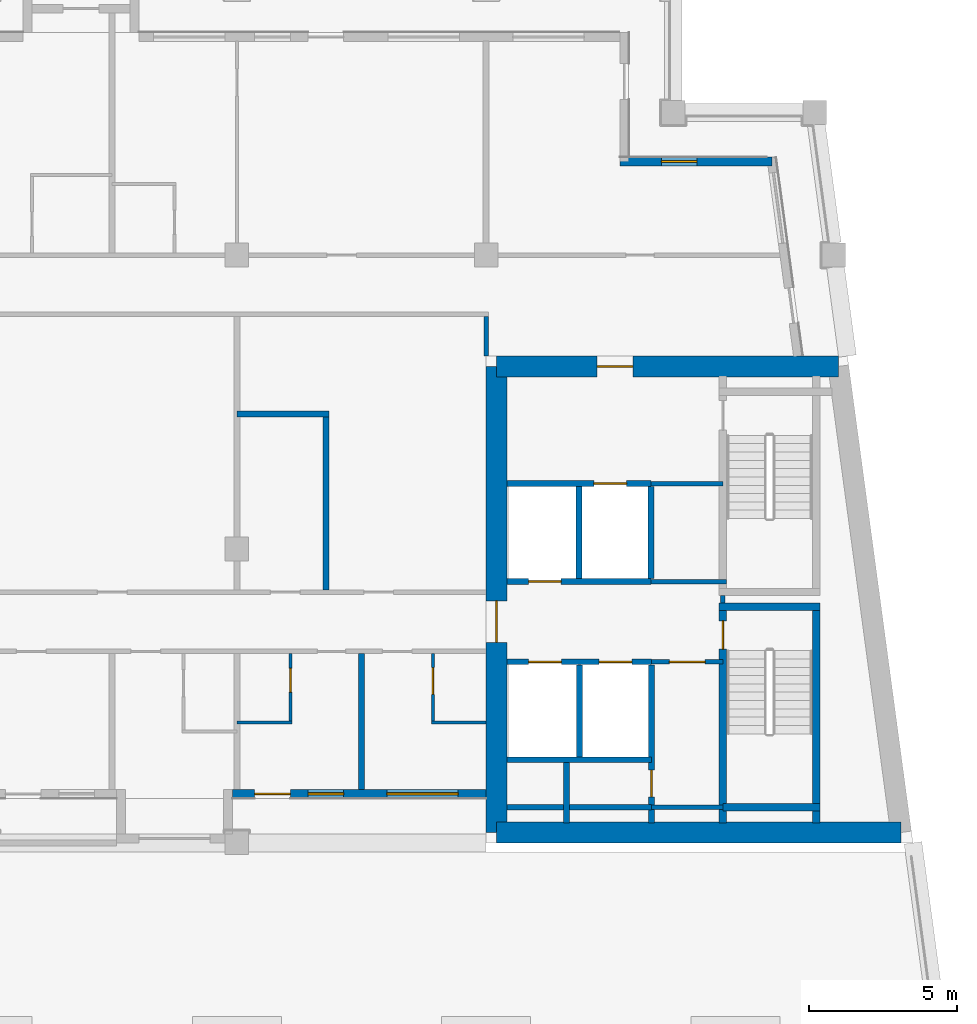
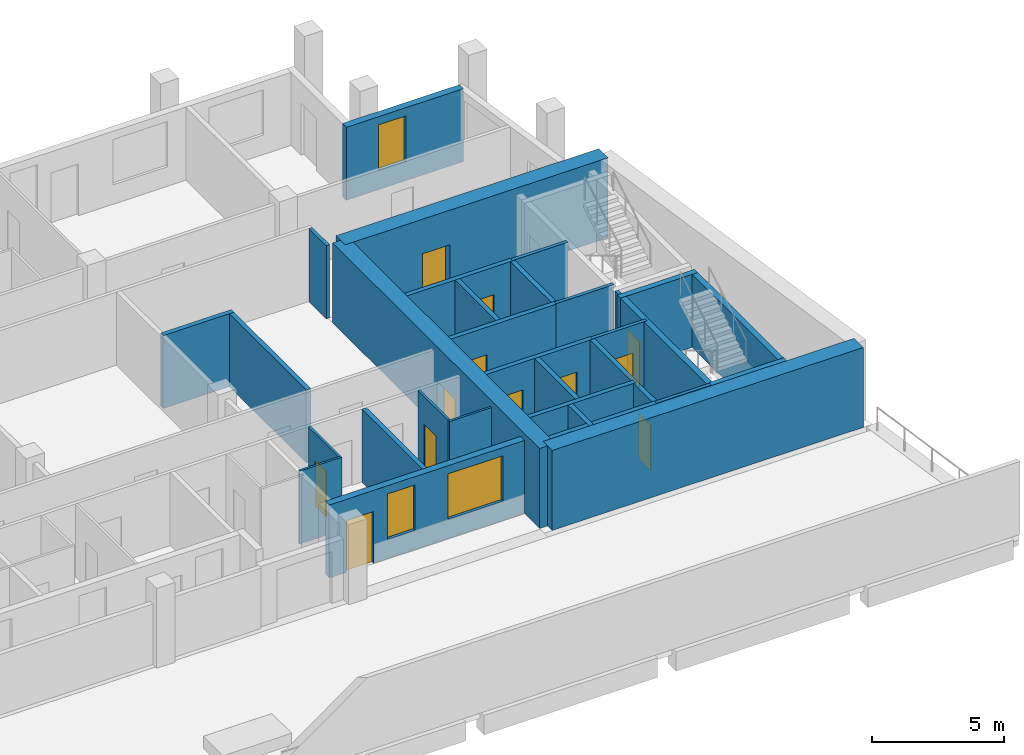
# One storey, part 4 of 12: 32 walls, 12 doors, 3 windows, 15 openings.
"""IFC4 building model written with IfcOpenShell, lengths in metres."""

from ifc_helpers import new_model, si_unit, direction, frame, frame_2d, origin, place, context, subcontext, project, spatial, rectangle, extrude, material, layer, layer_set, type_object, element, fill, save


model = new_model("IFC4")

# Units and contexts
model_context = context("Model", 3, precision=1e-05, world=origin(), true_north=direction((0.0, 1.0)))
body_context = subcontext(model_context, "Body", "Model", "MODEL_VIEW")
ifc_project = project(units=[si_unit("LENGTHUNIT", "METRE"), si_unit("AREAUNIT", "SQUARE_METRE"), si_unit("VOLUMEUNIT", "CUBIC_METRE"), si_unit("PLANEANGLEUNIT", "RADIAN"), si_unit("MASSUNIT", "GRAM", prefix="KILO")], contexts=[model_context])

# Site, building, storey
site_placement = place(None, origin())
site = spatial("IfcSite", under=ifc_project, at=site_placement, CompositionType="ELEMENT")
building_placement = place(site_placement, origin())
building = spatial("IfcBuilding", under=site, at=building_placement, Name="Candeia Pilgrim Tower and Theatre", CompositionType="ELEMENT")
storey_placement = place(building_placement, frame((0.0, 0.0, 281.199951171875)))
storey = spatial("IfcBuildingStorey", under=building, at=storey_placement, Name="L68", CompositionType="ELEMENT", Elevation=281.199951171875)

# Wall, opening, door
ifc_material_1 = material(Name="Concrete C40/50", Category="concrete")
ifc_layer_1 = layer(ifc_material_1, 0.699951171875)
ifc_layer_set_1 = layer_set([ifc_layer_1], Name="Core wall 700 C40/50")
wall_type_1 = type_object("IfcWallType", Name="Core wall 700 C40/50", PredefinedType="SHEAR", material=ifc_layer_set_1)
wall_1_placement = place(storey_placement, frame((126.35009765625, 132.050048828125, 0.0), z_axis=(0.0, 0.0, 1.0), x_axis=(1.0, 0.0, 0.0)))
wall_1 = element("IfcWall", 1, at=wall_1_placement, inside=storey, type_object=wall_type_1, Name="Core wall E1", PredefinedType="SHEAR", context=body_context, shape_type="SweptSolid", body=[
    extrude(rectangle(XDim=11.51318359375, YDim=0.699951171875, at=frame_2d((5.756591796875, 0.0))), origin(), (0.0, 0.0, 1.0), 3.699951171875),
])
opening_1_placement = place(wall_1_placement, frame((3.386474609375, 0.0, 0.0)))
opening_1 = element("IfcOpeningElement", 2, at=opening_1_placement, cuts=wall_1, Name="Opening L68-D036", PredefinedType="OPENING", context=body_context, shape_type="SweptSolid", body=[
    extrude(rectangle(XDim=1.199951171875, YDim=2.10009765625, at=frame_2d((0.60009765625, 1.050048828125))), frame((0.0, 0.35986328125, 0.0), z_axis=(0.0, -1.0, 0.0), x_axis=(1.0, 0.0, 0.0)), (0.0, 0.0, 1.0), 0.719970703125),
])
ifc_material_2 = material(Name="Steel fire door set", Category="steel")
door_type_1 = type_object("IfcDoorType", Name="D-1200-FD60", OperationType="NOTDEFINED", PredefinedType="DOOR", material=ifc_material_2)
door_1_placement = place(opening_1_placement, origin())
door_1 = element("IfcDoor", 3, at=door_1_placement, inside=storey, type_object=door_type_1, Name="Door L68-D036", OperationType="SINGLE_SWING_RIGHT", OverallHeight=2.10009765625, OverallWidth=1.199951171875, PredefinedType="DOOR", context=body_context, shape_type="SweptSolid", body=[
    extrude(rectangle(XDim=1.199951171875, YDim=2.10009765625, at=frame_2d((0.60009765625, 1.050048828125))), frame((0.0, 0.02490234375, 0.0), z_axis=(0.0, -1.0, 0.0), x_axis=(1.0, 0.0, 0.0)), (0.0, 0.0, 1.0), 0.050048828125),
])
fill(opening_1, door_1)

# Wall
wall_2_placement = place(storey_placement, frame((139.9765625, 116.35009765625, 0.0), z_axis=(0.0, 0.0, 1.0), x_axis=(-1.0, 0.0, 0.0)))
element("IfcWall", 4, at=wall_2_placement, inside=storey, type_object=wall_type_1, Name="Core wall E3", PredefinedType="SHEAR", context=body_context, shape_type="SweptSolid", body=[
    extrude(rectangle(XDim=13.62646484375, YDim=0.699951171875, at=frame_2d((6.813232421875, 0.0))), origin(), (0.0, 0.0, 1.0), 3.699951171875),
])

# Wall, opening, door
wall_3_placement = place(storey_placement, frame((126.35009765625, 116.35009765625, 0.0), z_axis=(0.0, 0.0, 1.0), x_axis=(0.0, 1.0, 0.0)))
wall_3 = element("IfcWall", 5, at=wall_3_placement, inside=storey, type_object=wall_type_1, Name="Core wall E4", PredefinedType="SHEAR", context=body_context, shape_type="SweptSolid", body=[
    extrude(rectangle(XDim=15.699951171875, YDim=0.699951171875, at=frame_2d((7.85009765625, 0.0))), origin(), (0.0, 0.0, 1.0), 3.699951171875),
])
opening_2_placement = place(wall_3_placement, frame((6.39990234375, 0.0, 0.0)))
opening_2 = element("IfcOpeningElement", 6, at=opening_2_placement, cuts=wall_3, Name="Opening L68-D037", PredefinedType="OPENING", context=body_context, shape_type="SweptSolid", body=[
    extrude(rectangle(XDim=1.39990234375, YDim=2.10009765625, at=frame_2d((0.699951171875, 1.050048828125))), frame((0.0, 0.35986328125, 0.0), z_axis=(0.0, -1.0, 0.0), x_axis=(1.0, 0.0, 0.0)), (0.0, 0.0, 1.0), 0.719970703125),
])
door_type_2 = type_object("IfcDoorType", Name="D-1400-FD60", OperationType="NOTDEFINED", PredefinedType="DOOR", material=ifc_material_2)
door_2_placement = place(opening_2_placement, origin())
door_2 = element("IfcDoor", 7, at=door_2_placement, inside=storey, type_object=door_type_2, Name="Door L68-D037", OperationType="SINGLE_SWING_LEFT", OverallHeight=2.10009765625, OverallWidth=1.39990234375, PredefinedType="DOOR", context=body_context, shape_type="SweptSolid", body=[
    extrude(rectangle(XDim=1.39990234375, YDim=2.10009765625, at=frame_2d((0.699951171875, 1.050048828125))), frame((0.0, 0.02490234375, 0.0), z_axis=(0.0, -1.0, 0.0), x_axis=(1.0, 0.0, 0.0)), (0.0, 0.0, 1.0), 0.050048828125),
])
fill(opening_2, door_2)

# Wall, openings, door, windows
ifc_material_3 = material(Name="Ceramic block masonry", Category="masonry")
ifc_layer_2 = layer(ifc_material_3, 0.300048828125)
ifc_layer_set_2 = layer_set([ifc_layer_2], Name="EW1 glazing-line wall 300")
wall_type_2 = type_object("IfcWallType", Name="EW1 glazing-line wall 300", PredefinedType="SOLIDWALL", material=ifc_layer_set_2)
wall_4_placement = place(storey_placement, frame((117.449951171875, 117.64990234375, 0.0), z_axis=(0.0, 0.0, 1.0), x_axis=(1.0, 0.0, 0.0)))
wall_4 = element("IfcWall", 8, at=wall_4_placement, inside=storey, type_object=wall_type_2, Name="External wall L68-1.1", PredefinedType="SOLIDWALL", context=body_context, shape_type="SweptSolid", body=[
    extrude(rectangle(XDim=8.550048828125, YDim=0.300048828125, at=frame_2d((4.27490234375, 0.0))), origin(), (0.0, 0.0, 1.0), 3.380126953125),
])
opening_3_placement = place(wall_4_placement, frame((0.75, 0.0, 0.0)))
opening_3 = element("IfcOpeningElement", 9, at=opening_3_placement, cuts=wall_4, Name="Opening L68-ED638", PredefinedType="OPENING", context=body_context, shape_type="SweptSolid", body=[
    extrude(rectangle(XDim=1.199951171875, YDim=2.39990234375, at=frame_2d((0.60009765625, 1.199951171875))), frame((0.0, 0.16015625, 0.0), z_axis=(0.0, -1.0, 0.0), x_axis=(1.0, 0.0, 0.0)), (0.0, 0.0, 1.0), 0.320068359375),
])
opening_4_placement = place(wall_4_placement, frame((2.550048828125, 0.0, 0.89990234375)))
opening_4 = element("IfcOpeningElement", 10, at=opening_4_placement, cuts=wall_4, Name="Opening W-B", PredefinedType="OPENING", context=body_context, shape_type="SweptSolid", body=[
    extrude(rectangle(XDim=1.199951171875, YDim=2.10009765625, at=frame_2d((0.60009765625, 1.050048828125))), frame((0.0, 0.16015625, 0.0), z_axis=(0.0, -1.0, 0.0), x_axis=(1.0, 0.0, 0.0)), (0.0, 0.0, 1.0), 0.320068359375),
])
opening_5_placement = place(wall_4_placement, frame((5.199951171875, 0.0, 0.89990234375)))
opening_5 = element("IfcOpeningElement", 11, at=opening_5_placement, cuts=wall_4, Name="Opening W-A", PredefinedType="OPENING", context=body_context, shape_type="SweptSolid", body=[
    extrude(rectangle(XDim=2.39990234375, YDim=2.10009765625, at=frame_2d((1.199951171875, 1.050048828125))), frame((0.0, 0.16015625, 0.0), z_axis=(0.0, -1.0, 0.0), x_axis=(1.0, 0.0, 0.0)), (0.0, 0.0, 1.0), 0.320068359375),
])
ifc_material_4 = material(Name="Aluminium framed glazed door", Category="aluminium")
door_type_3 = type_object("IfcDoorType", Name="Loggia door 1200x2400", OperationType="DOUBLE_DOOR_SINGLE_SWING", PredefinedType="DOOR", material=ifc_material_4)
door_3_placement = place(opening_3_placement, origin())
door_3 = element("IfcDoor", 12, at=door_3_placement, inside=storey, type_object=door_type_3, Name="Loggia door L68-ED638", OperationType="DOUBLE_DOOR_SINGLE_SWING", OverallHeight=2.39990234375, OverallWidth=1.199951171875, PredefinedType="DOOR", context=body_context, shape_type="SweptSolid", body=[
    extrude(rectangle(XDim=1.199951171875, YDim=2.39990234375, at=frame_2d((0.60009765625, 1.199951171875))), frame((0.0, 0.02490234375, 0.0), z_axis=(0.0, -1.0, 0.0), x_axis=(1.0, 0.0, 0.0)), (0.0, 0.0, 1.0), 0.050048828125),
])
fill(opening_3, door_3)
ifc_material_5 = material(Name="Aluminium framed double glazing", Category="aluminium")
window_type_1 = type_object("IfcWindowType", Name="W-A window 2400x2100", PartitioningType="DOUBLE_PANEL_VERTICAL", PredefinedType="WINDOW", material=ifc_material_5)
window_1_placement = place(opening_5_placement, origin())
window_1 = element("IfcWindow", 13, at=window_1_placement, inside=storey, type_object=window_type_1, Name="Window W-A L68", OverallHeight=2.10009765625, OverallWidth=2.39990234375, PartitioningType="SINGLE_PANEL", PredefinedType="WINDOW", context=body_context, shape_type="SweptSolid", body=[
    extrude(rectangle(XDim=2.39990234375, YDim=2.10009765625, at=frame_2d((1.199951171875, 1.050048828125))), frame((0.0, 0.030029296875, 0.0), z_axis=(0.0, -1.0, 0.0), x_axis=(1.0, 0.0, 0.0)), (0.0, 0.0, 1.0), 0.06005859375),
])
fill(opening_5, window_1)
window_type_2 = type_object("IfcWindowType", Name="W-B window 1200x2100", PartitioningType="SINGLE_PANEL", PredefinedType="WINDOW", material=ifc_material_5)
window_2_placement = place(opening_4_placement, origin())
window_2 = element("IfcWindow", 14, at=window_2_placement, inside=storey, type_object=window_type_2, Name="Window W-B L68", OverallHeight=2.10009765625, OverallWidth=1.199951171875, PartitioningType="SINGLE_PANEL", PredefinedType="WINDOW", context=body_context, shape_type="SweptSolid", body=[
    extrude(rectangle(XDim=1.199951171875, YDim=2.10009765625, at=frame_2d((0.60009765625, 1.050048828125))), frame((0.0, 0.030029296875, 0.0), z_axis=(0.0, -1.0, 0.0), x_axis=(1.0, 0.0, 0.0)), (0.0, 0.0, 1.0), 0.06005859375),
])
fill(opening_4, window_2)

# Wall, opening, window
wall_5_placement = place(storey_placement, frame((135.62255859375, 138.949951171875, 0.0), z_axis=(0.0, 0.0, 1.0), x_axis=(-1.0, 0.0, 0.0)))
wall_5 = element("IfcWall", 15, at=wall_5_placement, inside=storey, type_object=wall_type_2, Name="External wall L68-3.0", PredefinedType="SOLIDWALL", context=body_context, shape_type="SweptSolid", body=[
    extrude(rectangle(XDim=5.12255859375, YDim=0.300048828125, at=frame_2d((2.561279296875, 0.0))), origin(), (0.0, 0.0, 1.0), 3.380126953125),
])
opening_6_placement = place(wall_5_placement, frame((2.522705078125, 0.0, 0.89990234375)))
opening_6 = element("IfcOpeningElement", 16, at=opening_6_placement, cuts=wall_5, Name="Opening W-B", PredefinedType="OPENING", context=body_context, shape_type="SweptSolid", body=[
    extrude(rectangle(XDim=1.199951171875, YDim=2.10009765625, at=frame_2d((0.60009765625, 1.050048828125))), frame((0.0, 0.16015625, 0.0), z_axis=(0.0, -1.0, 0.0), x_axis=(1.0, 0.0, 0.0)), (0.0, 0.0, 1.0), 0.320068359375),
])
window_3_placement = place(opening_6_placement, origin())
window_3 = element("IfcWindow", 17, at=window_3_placement, inside=storey, type_object=window_type_2, Name="Window W-B L68", OverallHeight=2.10009765625, OverallWidth=1.199951171875, PartitioningType="SINGLE_PANEL", PredefinedType="WINDOW", context=body_context, shape_type="SweptSolid", body=[
    extrude(rectangle(XDim=1.199951171875, YDim=2.10009765625, at=frame_2d((0.60009765625, 1.050048828125))), frame((0.0, 0.030029296875, 0.0), z_axis=(0.0, -1.0, 0.0), x_axis=(1.0, 0.0, 0.0)), (0.0, 0.0, 1.0), 0.06005859375),
])
fill(opening_6, window_3)

# Walls
ifc_material_6 = material(Name="Gypsum board partition on steel studs", Category="steel")
ifc_layer_3 = layer(ifc_material_6, 0.10009765625)
ifc_layer_set_3 = layer_set([ifc_layer_3], Name="PW-100 room partition")
wall_type_3 = type_object("IfcWallType", Name="PW-100 room partition", PredefinedType="PARTITIONING", material=ifc_layer_set_3)
wall_6_placement = place(storey_placement, frame((117.60009765625, 120.050048828125, 0.0), z_axis=(0.0, 0.0, 1.0), x_axis=(1.0, 0.0, 0.0)))
element("IfcWall", 18, at=wall_6_placement, inside=storey, type_object=wall_type_3, Name="Room partition L68-013", PredefinedType="PARTITIONING", context=body_context, shape_type="SweptSolid", body=[
    extrude(rectangle(XDim=1.849853515625, YDim=0.10009765625, at=frame_2d((0.9248046875, 0.0))), origin(), (0.0, 0.0, 1.0), 3.380126953125),
])
wall_7_placement = place(storey_placement, frame((124.14990234375, 120.050048828125, 0.0), z_axis=(0.0, 0.0, 1.0), x_axis=(1.0, 0.0, 0.0)))
element("IfcWall", 19, at=wall_7_placement, inside=storey, type_object=wall_type_3, Name="Room partition L68-014", PredefinedType="PARTITIONING", context=body_context, shape_type="SweptSolid", body=[
    extrude(rectangle(XDim=1.85009765625, YDim=0.10009765625, at=frame_2d((0.925048828125, 0.0))), origin(), (0.0, 0.0, 1.0), 3.380126953125),
])

# Wall, opening, door
wall_8_placement = place(storey_placement, frame((119.39990234375, 120.10009765625, 0.0), z_axis=(0.0, 0.0, 1.0), x_axis=(0.0, 1.0, 0.0)))
wall_8 = element("IfcWall", 20, at=wall_8_placement, inside=storey, type_object=wall_type_3, Name="Room partition L68-067", PredefinedType="PARTITIONING", context=body_context, shape_type="SweptSolid", body=[
    extrude(rectangle(XDim=2.27490234375, YDim=0.10009765625, at=frame_2d((1.137451171875, 0.0))), origin(), (0.0, 0.0, 1.0), 3.380126953125),
])
opening_7_placement = place(wall_8_placement, frame((0.97509765625, 0.0, 0.0)))
opening_7 = element("IfcOpeningElement", 21, at=opening_7_placement, cuts=wall_8, Name="Opening L68-D017", PredefinedType="OPENING", context=body_context, shape_type="SweptSolid", body=[
    extrude(rectangle(XDim=0.800048828125, YDim=2.10009765625, at=frame_2d((0.39990234375, 1.050048828125))), frame((0.0, 0.06005859375, 0.0), z_axis=(0.0, -1.0, 0.0), x_axis=(1.0, 0.0, 0.0)), (0.0, 0.0, 1.0), 0.1201171875),
])
ifc_material_7 = material(Name="Timber door leaf", Category="wood")
door_type_4 = type_object("IfcDoorType", Name="D-800", OperationType="NOTDEFINED", PredefinedType="DOOR", material=ifc_material_7)
door_4_placement = place(opening_7_placement, origin())
door_4 = element("IfcDoor", 22, at=door_4_placement, inside=storey, type_object=door_type_4, Name="Door L68-D017", OperationType="SINGLE_SWING_LEFT", OverallHeight=2.10009765625, OverallWidth=0.800048828125, PredefinedType="DOOR", context=body_context, shape_type="SweptSolid", body=[
    extrude(rectangle(XDim=0.800048828125, YDim=2.10009765625, at=frame_2d((0.39990234375, 1.050048828125))), frame((0.0, 0.02490234375, 0.0), z_axis=(0.0, -1.0, 0.0), x_axis=(1.0, 0.0, 0.0)), (0.0, 0.0, 1.0), 0.050048828125),
])
fill(opening_7, door_4)

wall_9_placement = place(storey_placement, frame((124.199951171875, 120.10009765625, 0.0), z_axis=(0.0, 0.0, 1.0), x_axis=(0.0, 1.0, 0.0)))
wall_9 = element("IfcWall", 23, at=wall_9_placement, inside=storey, type_object=wall_type_3, Name="Room partition L68-070", PredefinedType="PARTITIONING", context=body_context, shape_type="SweptSolid", body=[
    extrude(rectangle(XDim=2.27490234375, YDim=0.10009765625, at=frame_2d((1.137451171875, 0.0))), origin(), (0.0, 0.0, 1.0), 3.380126953125),
])
opening_8_placement = place(wall_9_placement, frame((0.89990234375, 0.0, 0.0)))
opening_8 = element("IfcOpeningElement", 24, at=opening_8_placement, cuts=wall_9, Name="Opening L68-D019", PredefinedType="OPENING", context=body_context, shape_type="SweptSolid", body=[
    extrude(rectangle(XDim=0.89990234375, YDim=2.10009765625, at=frame_2d((0.449951171875, 1.050048828125))), frame((0.0, 0.06005859375, 0.0), z_axis=(0.0, -1.0, 0.0), x_axis=(1.0, 0.0, 0.0)), (0.0, 0.0, 1.0), 0.1201171875),
])
door_type_5 = type_object("IfcDoorType", Name="D-900", OperationType="NOTDEFINED", PredefinedType="DOOR", material=ifc_material_7)
door_5_placement = place(opening_8_placement, origin())
door_5 = element("IfcDoor", 25, at=door_5_placement, inside=storey, type_object=door_type_5, Name="Door L68-D019", OperationType="SINGLE_SWING_LEFT", OverallHeight=2.10009765625, OverallWidth=0.89990234375, PredefinedType="DOOR", context=body_context, shape_type="SweptSolid", body=[
    extrude(rectangle(XDim=0.89990234375, YDim=2.10009765625, at=frame_2d((0.449951171875, 1.050048828125))), frame((0.0, 0.02490234375, 0.0), z_axis=(0.0, -1.0, 0.0), x_axis=(1.0, 0.0, 0.0)), (0.0, 0.0, 1.0), 0.050048828125),
])
fill(opening_8, door_5)

# Wall
ifc_layer_4 = layer(ifc_material_6, 0.14990234375)
ifc_layer_set_4 = layer_set([ifc_layer_4], Name="PW-150 lobby wall")
wall_type_4 = type_object("IfcWallType", Name="PW-150 lobby wall", PredefinedType="PARTITIONING", material=ifc_layer_set_4)
wall_10_placement = place(storey_placement, frame((131.572998046875, 117.199951171875, 0.0), z_axis=(0.0, 0.0, 1.0), x_axis=(1.0, 0.0, 0.0)))
element("IfcWall", 26, at=wall_10_placement, inside=storey, type_object=wall_type_4, Name="Lobby wall L68-006", PredefinedType="PARTITIONING", context=body_context, shape_type="SweptSolid", body=[
    extrude(rectangle(XDim=2.39990234375, YDim=0.14990234375, at=frame_2d((1.199951171875, 0.0))), origin(), (0.0, 0.0, 1.0), 3.380126953125),
])

# Wall, opening, door
wall_11_placement = place(storey_placement, frame((131.572998046875, 122.10009765625, 0.0), z_axis=(0.0, 0.0, 1.0), x_axis=(1.0, 0.0, 0.0)))
wall_11 = element("IfcWall", 27, at=wall_11_placement, inside=storey, type_object=wall_type_4, Name="Lobby wall L68-018", PredefinedType="PARTITIONING", context=body_context, shape_type="SweptSolid", body=[
    extrude(rectangle(XDim=2.39990234375, YDim=0.14990234375, at=frame_2d((1.199951171875, 0.0))), origin(), (0.0, 0.0, 1.0), 3.380126953125),
])
opening_9_placement = place(wall_11_placement, frame((0.60009765625, 0.0, 0.0)))
opening_9 = element("IfcOpeningElement", 28, at=opening_9_placement, cuts=wall_11, Name="Opening L68-D005", PredefinedType="OPENING", context=body_context, shape_type="SweptSolid", body=[
    extrude(rectangle(XDim=1.199951171875, YDim=2.10009765625, at=frame_2d((0.60009765625, 1.050048828125))), frame((0.0, 0.0849609375, 0.0), z_axis=(0.0, -1.0, 0.0), x_axis=(1.0, 0.0, 0.0)), (0.0, 0.0, 1.0), 0.169921875),
])
door_6_placement = place(opening_9_placement, origin())
door_6 = element("IfcDoor", 29, at=door_6_placement, inside=storey, type_object=door_type_1, Name="Door L68-D005", OperationType="SINGLE_SWING_LEFT", OverallHeight=2.10009765625, OverallWidth=1.199951171875, PredefinedType="DOOR", context=body_context, shape_type="SweptSolid", body=[
    extrude(rectangle(XDim=1.199951171875, YDim=2.10009765625, at=frame_2d((0.60009765625, 1.050048828125))), frame((0.0, 0.02490234375, 0.0), z_axis=(0.0, -1.0, 0.0), x_axis=(1.0, 0.0, 0.0)), (0.0, 0.0, 1.0), 0.050048828125),
])
fill(opening_9, door_6)

# Walls
wall_12_placement = place(storey_placement, frame((131.548583984375, 124.800048828125, 0.0), z_axis=(0.0, 0.0, 1.0), x_axis=(1.0, 0.0, 0.0)))
element("IfcWall", 30, at=wall_12_placement, inside=storey, type_object=wall_type_4, Name="Lobby wall L68-027", PredefinedType="PARTITIONING", context=body_context, shape_type="SweptSolid", body=[
    extrude(rectangle(XDim=2.54931640625, YDim=0.14990234375, at=frame_2d((1.274658203125, 0.0))), origin(), (0.0, 0.0, 1.0), 3.380126953125),
])
wall_13_placement = place(storey_placement, frame((131.548583984375, 128.10009765625, 0.0), z_axis=(0.0, 0.0, 1.0), x_axis=(1.0, 0.0, 0.0)))
element("IfcWall", 31, at=wall_13_placement, inside=storey, type_object=wall_type_4, Name="Lobby wall L68-030", PredefinedType="PARTITIONING", context=body_context, shape_type="SweptSolid", body=[
    extrude(rectangle(XDim=2.42431640625, YDim=0.14990234375, at=frame_2d((1.212158203125, 0.0))), origin(), (0.0, 0.0, 1.0), 3.380126953125),
])
wall_14_placement = place(storey_placement, frame((133.972900390625, 124.074951171875, 0.0), z_axis=(0.0, 0.0, 1.0), x_axis=(0.0, 1.0, 0.0)))
element("IfcWall", 32, at=wall_14_placement, inside=storey, type_object=wall_type_4, Name="Lobby wall L68-078", PredefinedType="PARTITIONING", context=body_context, shape_type="SweptSolid", body=[
    extrude(rectangle(XDim=0.25, YDim=0.14990234375, at=frame_2d((0.125, 0.0))), origin(), (0.0, 0.0, 1.0), 3.380126953125),
])
ifc_layer_5 = layer(ifc_material_6, 0.14990234375)
ifc_layer_set_5 = layer_set([ifc_layer_5], Name="PW-150 unit wall")
wall_type_5 = type_object("IfcWallType", Name="PW-150 unit wall", PredefinedType="PARTITIONING", material=ifc_layer_set_5)
wall_15_placement = place(storey_placement, frame((126.0, 132.39990234375, 0.0), z_axis=(0.0, 0.0, 1.0), x_axis=(0.0, 1.0, 0.0)))
element("IfcWall", 33, at=wall_15_placement, inside=storey, type_object=wall_type_5, Name="Unit wall L68-072", PredefinedType="PARTITIONING", context=body_context, shape_type="SweptSolid", body=[
    extrude(rectangle(XDim=1.3251953125, YDim=0.14990234375, at=frame_2d((0.66259765625, 0.0))), origin(), (0.0, 0.0, 1.0), 3.380126953125),
])
ifc_layer_6 = layer(ifc_material_6, 0.199951171875)
ifc_layer_set_6 = layer_set([ifc_layer_6], Name="PW-200 party wall")
wall_type_6 = type_object("IfcWallType", Name="PW-200 party wall", PredefinedType="PARTITIONING", material=ifc_layer_set_6)
wall_16_placement = place(storey_placement, frame((117.60009765625, 130.449951171875, 0.0), z_axis=(0.0, 0.0, 1.0), x_axis=(1.0, 0.0, 0.0)))
element("IfcWall", 34, at=wall_16_placement, inside=storey, type_object=wall_type_6, Name="Party wall L68-031", PredefinedType="PARTITIONING", context=body_context, shape_type="SweptSolid", body=[
    extrude(rectangle(XDim=3.099853515625, YDim=0.199951171875, at=frame_2d((1.5498046875, 0.0))), origin(), (0.0, 0.0, 1.0), 3.380126953125),
])
wall_17_placement = place(storey_placement, frame((120.60009765625, 124.52490234375, 0.0), z_axis=(0.0, 0.0, 1.0), x_axis=(0.0, 1.0, 0.0)))
element("IfcWall", 35, at=wall_17_placement, inside=storey, type_object=wall_type_6, Name="Party wall L68-068", PredefinedType="PARTITIONING", context=body_context, shape_type="SweptSolid", body=[
    extrude(rectangle(XDim=5.8251953125, YDim=0.199951171875, at=frame_2d((2.91259765625, 0.0))), origin(), (0.0, 0.0, 1.0), 3.380126953125),
])
wall_18_placement = place(storey_placement, frame((121.800048828125, 117.7900390625, 0.0), z_axis=(0.0, 0.0, 1.0), x_axis=(0.0, 1.0, 0.0)))
element("IfcWall", 36, at=wall_18_placement, inside=storey, type_object=wall_type_6, Name="Party wall L68-069", PredefinedType="PARTITIONING", context=body_context, shape_type="SweptSolid", body=[
    extrude(rectangle(XDim=4.5849609375, YDim=0.199951171875, at=frame_2d((2.29248046875, 0.0))), origin(), (0.0, 0.0, 1.0), 3.380126953125),
])
ifc_layer_7 = layer(ifc_material_1, 0.199951171875)
ifc_layer_set_7 = layer_set([ifc_layer_7], Name="SW-200 shaft wall")
wall_type_7 = type_object("IfcWallType", Name="SW-200 shaft wall", PredefinedType="PARTITIONING", material=ifc_layer_set_7)
for number, where, z_axis, x_axis, name in (
    (37, (126.699951171875, 117.199951171875, 0.0), (0.0, 0.0, 1.0), (1.0, 0.0, 0.0), "Shaft wall L68-004"),
    (38, (126.699951171875, 118.800048828125, 0.0), (0.0, 0.0, 1.0), (1.0, 0.0, 0.0), "Shaft wall L68-010"),
):
    element("IfcWall", number, at=place(storey_placement, frame(where, z_axis=z_axis, x_axis=x_axis)), inside=storey, type_object=wall_type_7, Name=name, PredefinedType="PARTITIONING", context=body_context, shape_type="SweptSolid", body=[
        extrude(rectangle(XDim=4.873046875, YDim=0.199951171875, at=frame_2d((2.4365234375, 0.0))), origin(), (0.0, 0.0, 1.0), 3.380126953125),
    ])

# Wall, openings, doors
wall_19_placement = place(storey_placement, frame((126.699951171875, 122.10009765625, 0.0), z_axis=(0.0, 0.0, 1.0), x_axis=(1.0, 0.0, 0.0)))
wall_19 = element("IfcWall", 39, at=wall_19_placement, inside=storey, type_object=wall_type_7, Name="Shaft wall L68-016", PredefinedType="PARTITIONING", context=body_context, shape_type="SweptSolid", body=[
    extrude(rectangle(XDim=4.873046875, YDim=0.199951171875, at=frame_2d((2.4365234375, 0.0))), origin(), (0.0, 0.0, 1.0), 3.380126953125),
])
opening_10_placement = place(wall_19_placement, frame((3.10498046875, 0.0, 0.0)))
opening_10 = element("IfcOpeningElement", 40, at=opening_10_placement, cuts=wall_19, Name="Opening L68-LD05", PredefinedType="OPENING", context=body_context, shape_type="SweptSolid", body=[
    extrude(rectangle(XDim=1.10009765625, YDim=2.10009765625, at=frame_2d((0.550048828125, 1.050048828125))), frame((0.0, 0.10986328125, 0.0), z_axis=(0.0, -1.0, 0.0), x_axis=(1.0, 0.0, 0.0)), (0.0, 0.0, 1.0), 0.219970703125),
])
opening_11_placement = place(wall_19_placement, frame((0.73193359375, 0.0, 0.0)))
opening_11 = element("IfcOpeningElement", 41, at=opening_11_placement, cuts=wall_19, Name="Opening L68-LD06", PredefinedType="OPENING", context=body_context, shape_type="SweptSolid", body=[
    extrude(rectangle(XDim=1.10009765625, YDim=2.10009765625, at=frame_2d((0.550048828125, 1.050048828125))), frame((0.0, 0.10986328125, 0.0), z_axis=(0.0, -1.0, 0.0), x_axis=(1.0, 0.0, 0.0)), (0.0, 0.0, 1.0), 0.219970703125),
])
ifc_material_8 = material(Name="Glazed aluminium landing door", Category="aluminium")
door_type_6 = type_object("IfcDoorType", Name="LD-1100-EI120", OperationType="SLIDING_TO_LEFT", PredefinedType="DOOR", material=ifc_material_8)
door_7_placement = place(opening_10_placement, origin())
door_7 = element("IfcDoor", 42, at=door_7_placement, inside=storey, type_object=door_type_6, Name="Landing door 05 L68", OperationType="SLIDING_TO_LEFT", OverallHeight=2.10009765625, OverallWidth=1.10009765625, PredefinedType="DOOR", context=body_context, shape_type="SweptSolid", body=[
    extrude(rectangle(XDim=1.10009765625, YDim=2.10009765625, at=frame_2d((0.550048828125, 1.050048828125))), frame((0.0, 0.02490234375, 0.0), z_axis=(0.0, -1.0, 0.0), x_axis=(1.0, 0.0, 0.0)), (0.0, 0.0, 1.0), 0.050048828125),
])
fill(opening_10, door_7)
door_8_placement = place(opening_11_placement, origin())
door_8 = element("IfcDoor", 43, at=door_8_placement, inside=storey, type_object=door_type_6, Name="Landing door 06 L68", OperationType="SLIDING_TO_LEFT", OverallHeight=2.10009765625, OverallWidth=1.10009765625, PredefinedType="DOOR", context=body_context, shape_type="SweptSolid", body=[
    extrude(rectangle(XDim=1.10009765625, YDim=2.10009765625, at=frame_2d((0.550048828125, 1.050048828125))), frame((0.0, 0.02490234375, 0.0), z_axis=(0.0, -1.0, 0.0), x_axis=(1.0, 0.0, 0.0)), (0.0, 0.0, 1.0), 0.050048828125),
])
fill(opening_11, door_8)

# Wall, opening, door
wall_20_placement = place(storey_placement, frame((126.699951171875, 124.800048828125, 0.0), z_axis=(0.0, 0.0, 1.0), x_axis=(1.0, 0.0, 0.0)))
wall_20 = element("IfcWall", 44, at=wall_20_placement, inside=storey, type_object=wall_type_7, Name="Shaft wall L68-026", PredefinedType="PARTITIONING", context=body_context, shape_type="SweptSolid", body=[
    extrude(rectangle(XDim=4.8486328125, YDim=0.199951171875, at=frame_2d((2.42431640625, 0.0))), origin(), (0.0, 0.0, 1.0), 3.380126953125),
])
opening_12_placement = place(wall_20_placement, frame((0.72509765625, 0.0, 0.0)))
opening_12 = element("IfcOpeningElement", 45, at=opening_12_placement, cuts=wall_20, Name="Opening L68-LD08", PredefinedType="OPENING", context=body_context, shape_type="SweptSolid", body=[
    extrude(rectangle(XDim=1.10009765625, YDim=2.10009765625, at=frame_2d((0.550048828125, 1.050048828125))), frame((0.0, 0.10986328125, 0.0), z_axis=(0.0, -1.0, 0.0), x_axis=(1.0, 0.0, 0.0)), (0.0, 0.0, 1.0), 0.219970703125),
])
door_9_placement = place(opening_12_placement, origin())
door_9 = element("IfcDoor", 46, at=door_9_placement, inside=storey, type_object=door_type_6, Name="Landing door 08 L68", OperationType="SLIDING_TO_LEFT", OverallHeight=2.10009765625, OverallWidth=1.10009765625, PredefinedType="DOOR", context=body_context, shape_type="SweptSolid", body=[
    extrude(rectangle(XDim=1.10009765625, YDim=2.10009765625, at=frame_2d((0.550048828125, 1.050048828125))), frame((0.0, 0.02490234375, 0.0), z_axis=(0.0, -1.0, 0.0), x_axis=(1.0, 0.0, 0.0)), (0.0, 0.0, 1.0), 0.050048828125),
])
fill(opening_12, door_9)

wall_21_placement = place(storey_placement, frame((126.699951171875, 128.10009765625, 0.0), z_axis=(0.0, 0.0, 1.0), x_axis=(1.0, 0.0, 0.0)))
wall_21 = element("IfcWall", 47, at=wall_21_placement, inside=storey, type_object=wall_type_7, Name="Shaft wall L68-029", PredefinedType="PARTITIONING", context=body_context, shape_type="SweptSolid", body=[
    extrude(rectangle(XDim=4.8486328125, YDim=0.199951171875, at=frame_2d((2.42431640625, 0.0))), origin(), (0.0, 0.0, 1.0), 3.380126953125),
])
opening_13_placement = place(wall_21_placement, frame((2.929931640625, 0.0, 0.0)))
opening_13 = element("IfcOpeningElement", 48, at=opening_13_placement, cuts=wall_21, Name="Opening L68-LD07", PredefinedType="OPENING", context=body_context, shape_type="SweptSolid", body=[
    extrude(rectangle(XDim=1.10009765625, YDim=2.10009765625, at=frame_2d((0.550048828125, 1.050048828125))), frame((0.0, 0.10986328125, 0.0), z_axis=(0.0, -1.0, 0.0), x_axis=(1.0, 0.0, 0.0)), (0.0, 0.0, 1.0), 0.219970703125),
])
door_10_placement = place(opening_13_placement, origin())
door_10 = element("IfcDoor", 49, at=door_10_placement, inside=storey, type_object=door_type_6, Name="Landing door 07 L68", OperationType="SLIDING_TO_LEFT", OverallHeight=2.10009765625, OverallWidth=1.10009765625, PredefinedType="DOOR", context=body_context, shape_type="SweptSolid", body=[
    extrude(rectangle(XDim=1.10009765625, YDim=2.10009765625, at=frame_2d((0.550048828125, 1.050048828125))), frame((0.0, 0.02490234375, 0.0), z_axis=(0.0, -1.0, 0.0), x_axis=(1.0, 0.0, 0.0)), (0.0, 0.0, 1.0), 0.050048828125),
])
fill(opening_13, door_10)

# Walls
wall_22_placement = place(storey_placement, frame((128.699951171875, 116.669921875, 0.0), z_axis=(0.0, 0.0, 1.0), x_axis=(0.0, 1.0, 0.0)))
element("IfcWall", 50, at=wall_22_placement, inside=storey, type_object=wall_type_7, Name="Shaft wall L68-073", PredefinedType="PARTITIONING", context=body_context, shape_type="SweptSolid", body=[
    extrude(rectangle(XDim=2.030029296875, YDim=0.199951171875, at=frame_2d((1.01513671875, 0.0))), origin(), (0.0, 0.0, 1.0), 3.380126953125),
])
for number, where, z_axis, x_axis, name in (
    (51, (129.124267578125, 124.89990234375, 0.0), (0.0, 0.0, 1.0), (0.0, 1.0, 0.0), "Shaft wall L68-074"),
    (52, (129.136474609375, 118.89990234375, 0.0), (0.0, 0.0, 1.0), (0.0, 1.0, 0.0), "Shaft wall L68-075"),
    (53, (131.548583984375, 124.89990234375, 0.0), (0.0, 0.0, 1.0), (0.0, 1.0, 0.0), "Shaft wall L68-076"),
):
    element("IfcWall", number, at=place(storey_placement, frame(where, z_axis=z_axis, x_axis=x_axis)), inside=storey, type_object=wall_type_7, Name=name, PredefinedType="PARTITIONING", context=body_context, shape_type="SweptSolid", body=[
        extrude(rectangle(XDim=3.10009765625, YDim=0.199951171875, at=frame_2d((1.550048828125, 0.0))), origin(), (0.0, 0.0, 1.0), 3.380126953125),
    ])

# Wall, opening, door
wall_23_placement = place(storey_placement, frame((131.572998046875, 116.669921875, 0.0), z_axis=(0.0, 0.0, 1.0), x_axis=(0.0, 1.0, 0.0)))
wall_23 = element("IfcWall", 54, at=wall_23_placement, inside=storey, type_object=wall_type_7, Name="Shaft wall L68-077", PredefinedType="PARTITIONING", context=body_context, shape_type="SweptSolid", body=[
    extrude(rectangle(XDim=5.330078125, YDim=0.199951171875, at=frame_2d((2.6650390625, 0.0))), origin(), (0.0, 0.0, 1.0), 3.380126953125),
])
opening_14_placement = place(wall_23_placement, frame((0.8798828125, 0.0, 0.0)))
opening_14 = element("IfcOpeningElement", 55, at=opening_14_placement, cuts=wall_23, Name="Opening L68-D008", PredefinedType="OPENING", context=body_context, shape_type="SweptSolid", body=[
    extrude(rectangle(XDim=0.89990234375, YDim=2.10009765625, at=frame_2d((0.449951171875, 1.050048828125))), frame((0.0, 0.10986328125, 0.0), z_axis=(0.0, -1.0, 0.0), x_axis=(1.0, 0.0, 0.0)), (0.0, 0.0, 1.0), 0.219970703125),
])
door_type_7 = type_object("IfcDoorType", Name="D-900-FD60", OperationType="NOTDEFINED", PredefinedType="DOOR", material=ifc_material_2)
door_11_placement = place(opening_14_placement, origin())
door_11 = element("IfcDoor", 56, at=door_11_placement, inside=storey, type_object=door_type_7, Name="Door L68-D008", OperationType="SINGLE_SWING_RIGHT", OverallHeight=2.10009765625, OverallWidth=0.89990234375, PredefinedType="DOOR", context=body_context, shape_type="SweptSolid", body=[
    extrude(rectangle(XDim=0.89990234375, YDim=2.10009765625, at=frame_2d((0.449951171875, 1.050048828125))), frame((0.0, 0.02490234375, 0.0), z_axis=(0.0, -1.0, 0.0), x_axis=(1.0, 0.0, 0.0)), (0.0, 0.0, 1.0), 0.050048828125),
])
fill(opening_14, door_11)

# Walls
ifc_layer_8 = layer(ifc_material_1, 0.25)
ifc_layer_set_8 = layer_set([ifc_layer_8], Name="SW-250 stair wall")
wall_type_8 = type_object("IfcWallType", Name="SW-250 stair wall", PredefinedType="PARTITIONING", material=ifc_layer_set_8)
wall_24_placement = place(storey_placement, frame((133.972900390625, 117.199951171875, 0.0), z_axis=(0.0, 0.0, 1.0), x_axis=(1.0, 0.0, 0.0)))
element("IfcWall", 57, at=wall_24_placement, inside=storey, type_object=wall_type_8, Name="Stair wall L68-008", PredefinedType="PARTITIONING", context=body_context, shape_type="SweptSolid", body=[
    extrude(rectangle(XDim=3.275146484375, YDim=0.25, at=frame_2d((1.6376953125, 0.0))), origin(), (0.0, 0.0, 1.0), 3.380126953125),
])
wall_25_placement = place(storey_placement, frame((133.847900390625, 123.949951171875, 0.0), z_axis=(0.0, 0.0, 1.0), x_axis=(1.0, 0.0, 0.0)))
element("IfcWall", 58, at=wall_25_placement, inside=storey, type_object=wall_type_8, Name="Stair wall L68-021", PredefinedType="PARTITIONING", context=body_context, shape_type="SweptSolid", body=[
    extrude(rectangle(XDim=3.400146484375, YDim=0.25, at=frame_2d((1.7001953125, 0.0))), origin(), (0.0, 0.0, 1.0), 3.380126953125),
])

# Wall, opening, door
wall_26_placement = place(storey_placement, frame((133.972900390625, 116.669921875, 0.0), z_axis=(0.0, 0.0, 1.0), x_axis=(0.0, 1.0, 0.0)))
wall_26 = element("IfcWall", 59, at=wall_26_placement, inside=storey, type_object=wall_type_8, Name="Stair wall L68-079", PredefinedType="PARTITIONING", context=body_context, shape_type="SweptSolid", body=[
    extrude(rectangle(XDim=7.155029296875, YDim=0.25, at=frame_2d((3.57763671875, 0.0))), origin(), (0.0, 0.0, 1.0), 3.380126953125),
])
opening_15_placement = place(wall_26_placement, frame((5.85498046875, 0.0, 0.0)))
opening_15 = element("IfcOpeningElement", 60, at=opening_15_placement, cuts=wall_26, Name="Opening L68-D006", PredefinedType="OPENING", context=body_context, shape_type="SweptSolid", body=[
    extrude(rectangle(XDim=0.949951171875, YDim=2.10009765625, at=frame_2d((0.47509765625, 1.050048828125))), frame((0.0, 0.135009765625, 0.0), z_axis=(0.0, -1.0, 0.0), x_axis=(1.0, 0.0, 0.0)), (0.0, 0.0, 1.0), 0.27001953125),
])
door_type_8 = type_object("IfcDoorType", Name="D-950-FD60", OperationType="NOTDEFINED", PredefinedType="DOOR", material=ifc_material_2)
door_12_placement = place(opening_15_placement, origin())
door_12 = element("IfcDoor", 61, at=door_12_placement, inside=storey, type_object=door_type_8, Name="Door L68-D006", OperationType="SINGLE_SWING_RIGHT", OverallHeight=2.10009765625, OverallWidth=0.949951171875, PredefinedType="DOOR", context=body_context, shape_type="SweptSolid", body=[
    extrude(rectangle(XDim=0.949951171875, YDim=2.10009765625, at=frame_2d((0.47509765625, 1.050048828125))), frame((0.0, 0.02490234375, 0.0), z_axis=(0.0, -1.0, 0.0), x_axis=(1.0, 0.0, 0.0)), (0.0, 0.0, 1.0), 0.050048828125),
])
fill(opening_15, door_12)

# Wall
wall_27_placement = place(storey_placement, frame((137.123046875, 116.669921875, 0.0), z_axis=(0.0, 0.0, 1.0), x_axis=(0.0, 1.0, 0.0)))
element("IfcWall", 62, at=wall_27_placement, inside=storey, type_object=wall_type_8, Name="Stair wall L68-081", PredefinedType="PARTITIONING", context=body_context, shape_type="SweptSolid", body=[
    extrude(rectangle(XDim=7.155029296875, YDim=0.25, at=frame_2d((3.57763671875, 0.0))), origin(), (0.0, 0.0, 1.0), 3.380126953125),
])

save(model, "model.ifc")
